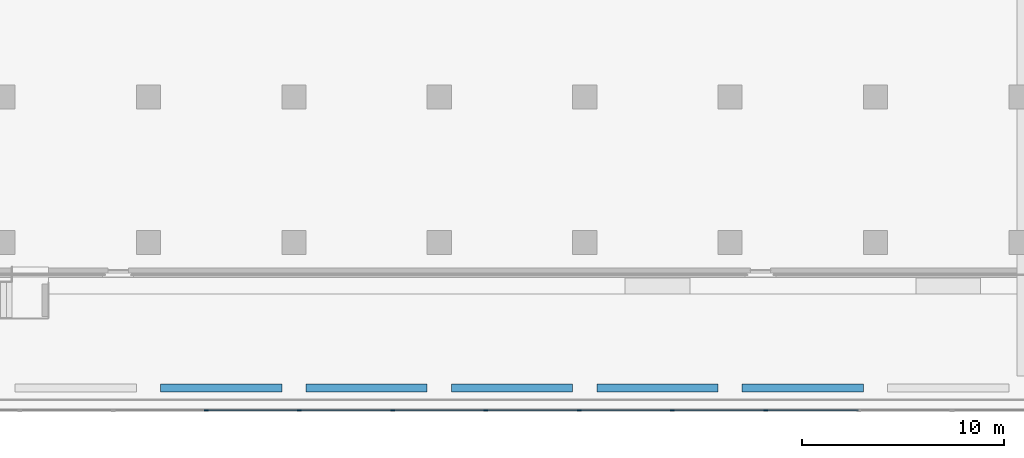
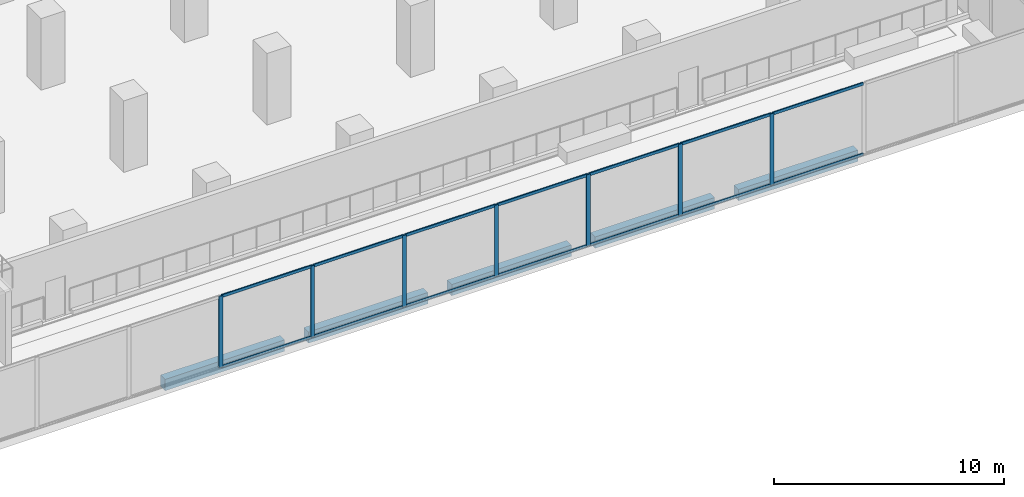
# One storey, part 4 of 27: 21 members, 5 beams, 1 element without a shape of its own.
"""IFC4 building model written with IfcOpenShell, lengths in metres."""

import ifcopenshell
import ifcopenshell.guid

model = None  # the IFC model being written
_history = None  # IfcOwnerHistory: only IFC2X3 demands one
_inside = {}  # id of a spatial element -> (the spatial element, [elements in it])
_under = {}  # id of a project, library or spatial element -> (it, [spatial elements below it])
_declared = {}  # id of a project -> (the project, [libraries it declares])
_typed = {}  # id of a type object -> (the type object, [elements of that type])
_made_of = {}  # id of a material, layer set ... -> (it, [elements and type objects made of it])


def new_model(schema):
    """Start an empty IFC model of exactly this schema.

    Asked for "IFC4X3", IfcOpenShell would pick the latest addendum, in which some entities
    have other attributes; the version numbers below select the first issue.
    IFC2X3 requires an IfcOwnerHistory on every rooted entity: one is made here for all.
    """
    global model, _history
    if schema == "IFC4X3":
        model = ifcopenshell.file(schema_version=(4, 3, 0, 0))
    else:
        model = ifcopenshell.file(schema=schema)
    _inside.clear()
    _under.clear()
    _declared.clear()
    _typed.clear()
    _made_of.clear()
    _history = None
    if model.schema == "IFC2X3":
        org = make("IfcOrganization", Name="unknown")
        user = make(
            "IfcPersonAndOrganization",
            ThePerson=make("IfcPerson", FamilyName="unknown"),
            TheOrganization=org,
        )
        app = make(
            "IfcApplication",
            ApplicationDeveloper=org,
            Version="unknown",
            ApplicationFullName="unknown",
            ApplicationIdentifier="unknown",
        )
        _history = make(
            "IfcOwnerHistory",
            OwningUser=user,
            OwningApplication=app,
            ChangeAction="ADDED",
            CreationDate=0,
        )
    return model


def make(cls, **values):
    """One entity of the class cls with the attributes given. An attribute that is None is left unset."""
    return model.create_entity(
        cls, **{name: value for name, value in values.items() if value is not None}
    )


def rooted(cls, **values):
    """An entity with a GlobalId (a new one), such as an element, a storey or a relation."""
    return make(cls, GlobalId=ifcopenshell.guid.new(), OwnerHistory=_history, **values)


def si_unit(unit_type, name, prefix=None):
    """IfcSIUnit, for example si_unit("LENGTHUNIT", "METRE", prefix="MILLI")."""
    return make("IfcSIUnit", UnitType=unit_type, Prefix=prefix, Name=name)


def assignment(units):
    """IfcUnitAssignment: the units of a project."""
    return None if units is None else make("IfcUnitAssignment", Units=units)


def point(xyz):
    """IfcCartesianPoint."""
    return None if xyz is None else make("IfcCartesianPoint", Coordinates=xyz)


def direction(xyz):
    """IfcDirection."""
    return None if xyz is None else make("IfcDirection", DirectionRatios=xyz)


def frame(location, z_axis=None, x_axis=None):
    """IfcAxis2Placement3D, a coordinate frame: its origin and axes. An axis left out is left unset."""
    return make(
        "IfcAxis2Placement3D",
        Location=point(location),
        Axis=direction(z_axis),
        RefDirection=direction(x_axis),
    )


def frame_2d(location, x_axis=None):
    """IfcAxis2Placement2D, a coordinate frame in the plane: its origin and x axis."""
    return make(
        "IfcAxis2Placement2D", Location=point(location), RefDirection=direction(x_axis)
    )


def origin():
    """The frame at (0, 0, 0) with its axes left unset."""
    return frame((0.0, 0.0, 0.0))


def origin_2d():
    """The frame at (0, 0) in the plane with its x axis left unset."""
    return frame_2d((0.0, 0.0))


def place(relative_to, where):
    """IfcLocalPlacement: puts the frame where relative to a parent placement (None: the world)."""
    return make(
        "IfcLocalPlacement", PlacementRelTo=relative_to, RelativePlacement=where
    )


def context(
    kind, dimensions, precision=None, world=None, true_north=None, identifier=None
):
    """IfcGeometricRepresentationContext, for example the 3D "Model" context."""
    return make(
        "IfcGeometricRepresentationContext",
        ContextIdentifier=identifier,
        ContextType=kind,
        CoordinateSpaceDimension=dimensions,
        Precision=precision,
        WorldCoordinateSystem=world,
        TrueNorth=true_north,
    )


def subcontext(parent, identifier, kind, view, scale=None):
    """IfcGeometricRepresentationSubContext, for example "Body" below "Model"."""
    return make(
        "IfcGeometricRepresentationSubContext",
        ContextIdentifier=identifier,
        ContextType=kind,
        ParentContext=parent,
        TargetScale=scale,
        TargetView=view,
    )


def project(units=None, contexts=None):
    """IfcProject with its units and contexts."""
    return rooted(
        "IfcProject",
        Name="project",
        RepresentationContexts=contexts,
        UnitsInContext=assignment(units),
    )


def spatial(cls, under=None, at=None, **own):
    """A site, building, storey or space (cls), placed at a placement, below another one or the project."""
    s = rooted(cls, ObjectPlacement=at, **own)
    if under is not None:
        _under.setdefault(under.id(), (under, []))[1].append(s)
    return s


def profile(cls, at=None, kind="AREA", **sizes):
    """A parametric profile (cls). Its sizes go by their IFC names, for example OverallWidth=200.0."""
    return make(cls, ProfileType=kind, Position=at, **sizes)


def rectangle(**sizes):
    """IfcRectangleProfileDef."""
    return profile("IfcRectangleProfileDef", **sizes)


def extrude(swept, where, along, depth):
    """IfcExtrudedAreaSolid: the profile swept, set in the frame where, extruded along a direction by depth."""
    return make(
        "IfcExtrudedAreaSolid",
        SweptArea=swept,
        Position=where,
        ExtrudedDirection=direction(along),
        Depth=depth,
    )


def shape(context_of_items, identifier, shape_type, items):
    """IfcShapeRepresentation: the items that make up one representation, for example the "Body"."""
    return make(
        "IfcShapeRepresentation",
        ContextOfItems=context_of_items,
        RepresentationIdentifier=identifier,
        RepresentationType=shape_type,
        Items=items,
    )


def material(Name=None, Category=None):
    """IfcMaterial."""
    return make("IfcMaterial", Name=Name, Category=Category)


def material_profile(
    of_material, cross_section, Name=None, Category=None, Priority=None
):
    """IfcMaterialProfile: a cross section and its material."""
    return make(
        "IfcMaterialProfile",
        Name=Name,
        Material=of_material,
        Profile=cross_section,
        Priority=Priority,
        Category=Category,
    )


def profile_set(profiles, Name=None, composite=None):
    """IfcMaterialProfileSet."""
    return make(
        "IfcMaterialProfileSet",
        Name=Name,
        MaterialProfiles=profiles,
        CompositeProfile=composite,
    )


def made_of(thing, what):
    """Note that an element or type object is made of a material, layer set ...; save() writes the relation."""
    if what is not None:
        _made_of.setdefault(what.id(), (what, []))[1].append(thing)
    return thing


def type_object(cls, material=None, **own):
    """A type object (cls), such as IfcWallType, which elements share."""
    return made_of(rooted(cls, **own), material)


def element(
    cls,
    number,
    at=None,
    inside=None,
    cuts=None,
    type_object=None,
    material=None,
    context=None,
    identifier="Body",
    shape_type=None,
    held_by="IfcProductDefinitionShape",
    body=None,
    shapes=None,
    **own,
):
    """One element of the class cls, such as IfcWall. Its Tag is "e" and its number.

    at: its placement. inside: the storey or other place that contains it. cuts: it is an
    opening in that element (IfcRelVoidsElement). A single representation is given by context,
    identifier, shape_type and body (its items); several are given by shapes. held_by: the class
    of the entity that holds the representations. save() writes the other relations.
    """
    e = rooted(cls, Tag="e%d" % number, ObjectPlacement=at, **own)
    if body is not None:
        shapes = [shape(context, identifier, shape_type, body)]
    if shapes is not None:
        e.Representation = make(held_by, Representations=shapes)
    if inside is not None:
        _inside.setdefault(inside.id(), (inside, []))[1].append(e)
    if cuts is not None:
        rooted(
            "IfcRelVoidsElement", RelatingBuildingElement=cuts, RelatedOpeningElement=e
        )
    if type_object is not None:
        _typed.setdefault(type_object.id(), (type_object, []))[1].append(e)
    return made_of(e, material)


def aggregate(whole, parts):
    """IfcRelAggregates: a whole, such as a stair, and the parts it consists of."""
    return rooted("IfcRelAggregates", RelatingObject=whole, RelatedObjects=parts)


def save(model, path):
    """Write the relations noted so far, then the file.

    IfcRelAggregates (storeys below a building ...), IfcRelContainedInSpatialStructure (elements
    in a storey), IfcRelDefinesByType, IfcRelAssociatesMaterial and IfcRelDeclares: one each for
    every whole, place, type object, material and project.
    """
    for whole, parts in _under.values():
        aggregate(whole, parts)
    for where, things in _inside.values():
        rooted(
            "IfcRelContainedInSpatialStructure",
            RelatedElements=things,
            RelatingStructure=where,
        )
    for kind, things in _typed.values():
        rooted("IfcRelDefinesByType", RelatedObjects=things, RelatingType=kind)
    for what, things in _made_of.values():
        rooted("IfcRelAssociatesMaterial", RelatedObjects=things, RelatingMaterial=what)
    for by, libraries in _declared.values():
        rooted("IfcRelDeclares", RelatingContext=by, RelatedDefinitions=libraries)
    model.write(path)


model = new_model("IFC4")

# Units and contexts
model_context = context("Model", 3, precision=1e-05, world=origin(), true_north=direction((0.0, 1.0)))
body_context = subcontext(model_context, "Body", "Model", "MODEL_VIEW")
ifc_project = project(units=[si_unit("LENGTHUNIT", "METRE"), si_unit("AREAUNIT", "SQUARE_METRE"), si_unit("VOLUMEUNIT", "CUBIC_METRE"), si_unit("PLANEANGLEUNIT", "RADIAN"), si_unit("MASSUNIT", "GRAM", prefix="KILO")], contexts=[model_context])

# Site, building, storey
site_placement = place(None, origin())
site = spatial("IfcSite", under=ifc_project, at=site_placement, CompositionType="ELEMENT")
building_placement = place(site_placement, origin())
building = spatial("IfcBuilding", under=site, at=building_placement, Name="Windrow Commons", CompositionType="ELEMENT")
storey_placement = place(building_placement, frame((0.0, 0.0, 6.0)))
storey = spatial("IfcBuildingStorey", under=building, at=storey_placement, Name="L01", CompositionType="ELEMENT", Elevation=6.0)

# Curtain wall, members
ifc_material_1 = material(Name="Clear laminated glass in Aluminium 6063-T6 anodised frame", Category="aluminium")
curtain_wall_type = type_object("IfcCurtainWallType", Name="Curtain wall CW1 podium study hall", PredefinedType="USERDEFINED", material=ifc_material_1)
curtain_wall_placement = place(storey_placement, origin())
curtain_wall = element("IfcCurtainWall", 1, at=curtain_wall_placement, inside=storey, type_object=curtain_wall_type, Name="Curtain wall CW1 L01 13", ObjectType="STICK", PredefinedType="USERDEFINED")
ifc_material_2 = material(Name="Aluminium 6063-T6", Category="aluminium")
ifc_material_profile_1 = material_profile(ifc_material_2, rectangle(XDim=0.06, YDim=0.2, at=origin_2d()))
ifc_profile_set_1 = profile_set([ifc_material_profile_1], Name="Aluminium 6063-T6")
member_type_1 = type_object("IfcMemberType", Name="CW1 mullion 60x200", PredefinedType="MULLION", material=ifc_profile_set_1)
member_1_placement = place(storey_placement, frame((31.6615, 13.3, 0.0), z_axis=(0.0, 0.0, 1.0), x_axis=(0.0, 1.0, 0.0)))
member_1 = element("IfcMember", 2, at=member_1_placement, type_object=member_type_1, Name="CW1 mullion 5", PredefinedType="MULLION", context=body_context, shape_type="SweptSolid", body=[
    extrude(rectangle(XDim=0.06, YDim=0.2, at=origin_2d()), origin(), (0.0, 0.0, 1.0), 3.8),
])
member_2_placement = place(storey_placement, frame((36.2769, 13.3, 0.0), z_axis=(0.0, 0.0, 1.0), x_axis=(0.0, 1.0, 0.0)))
member_2 = element("IfcMember", 3, at=member_2_placement, type_object=member_type_1, Name="CW1 mullion 6", PredefinedType="MULLION", context=body_context, shape_type="SweptSolid", body=[
    extrude(rectangle(XDim=0.06, YDim=0.2, at=origin_2d()), origin(), (0.0, 0.0, 1.0), 3.8),
])
member_3_placement = place(storey_placement, frame((40.8923, 13.3, 0.0), z_axis=(0.0, 0.0, 1.0), x_axis=(0.0, 1.0, 0.0)))
member_3 = element("IfcMember", 4, at=member_3_placement, type_object=member_type_1, Name="CW1 mullion 7", PredefinedType="MULLION", context=body_context, shape_type="SweptSolid", body=[
    extrude(rectangle(XDim=0.06, YDim=0.2, at=origin_2d()), origin(), (0.0, 0.0, 1.0), 3.8),
])
member_4_placement = place(storey_placement, frame((45.5077, 13.3, 0.0), z_axis=(0.0, 0.0, 1.0), x_axis=(0.0, 1.0, 0.0)))
member_4 = element("IfcMember", 5, at=member_4_placement, type_object=member_type_1, Name="CW1 mullion 8", PredefinedType="MULLION", context=body_context, shape_type="SweptSolid", body=[
    extrude(rectangle(XDim=0.06, YDim=0.2, at=origin_2d()), origin(), (0.0, 0.0, 1.0), 3.8),
])
member_5_placement = place(storey_placement, frame((50.1231, 13.3, 0.0), z_axis=(0.0, 0.0, 1.0), x_axis=(0.0, 1.0, 0.0)))
member_5 = element("IfcMember", 6, at=member_5_placement, type_object=member_type_1, Name="CW1 mullion 9", PredefinedType="MULLION", context=body_context, shape_type="SweptSolid", body=[
    extrude(rectangle(XDim=0.06, YDim=0.2, at=origin_2d()), origin(), (0.0, 0.0, 1.0), 3.8),
])
member_6_placement = place(storey_placement, frame((54.7385, 13.3, 0.0), z_axis=(0.0, 0.0, 1.0), x_axis=(0.0, 1.0, 0.0)))
member_6 = element("IfcMember", 7, at=member_6_placement, type_object=member_type_1, Name="CW1 mullion 10", PredefinedType="MULLION", context=body_context, shape_type="SweptSolid", body=[
    extrude(rectangle(XDim=0.06, YDim=0.2, at=origin_2d()), origin(), (0.0, 0.0, 1.0), 3.8),
])
member_7_placement = place(storey_placement, frame((59.3538, 13.3, 0.0), z_axis=(0.0, 0.0, 1.0), x_axis=(0.0, 1.0, 0.0)))
member_7 = element("IfcMember", 8, at=member_7_placement, type_object=member_type_1, Name="CW1 mullion 11", PredefinedType="MULLION", context=body_context, shape_type="SweptSolid", body=[
    extrude(rectangle(XDim=0.06, YDim=0.2, at=origin_2d()), origin(), (0.0, 0.0, 1.0), 3.8),
])
ifc_material_3 = material(Name="Aluminium 6063-T6", Category="aluminium")
ifc_material_profile_2 = material_profile(ifc_material_3, rectangle(XDim=0.06, YDim=0.15, at=origin_2d()))
ifc_profile_set_2 = profile_set([ifc_material_profile_2], Name="Aluminium 6063-T6")
member_type_2 = type_object("IfcMemberType", Name="CW1 transom 60x150", PredefinedType="USERDEFINED", material=ifc_profile_set_2)
member_8_placement = place(storey_placement, frame((31.6915, 13.3, 0.03), z_axis=(1.0, 0.0, 0.0), x_axis=(0.0, 1.0, 0.0)))
member_8 = element("IfcMember", 9, at=member_8_placement, type_object=member_type_2, Name="CW1 transom 5.1", ObjectType="TRANSOM", PredefinedType="USERDEFINED", context=body_context, shape_type="SweptSolid", body=[
    extrude(rectangle(XDim=0.06, YDim=0.15, at=origin_2d()), origin(), (0.0, 0.0, 1.0), 4.5554),
])
member_9_placement = place(storey_placement, frame((31.6915, 13.3, 3.77), z_axis=(1.0, 0.0, 0.0), x_axis=(0.0, 1.0, 0.0)))
member_9 = element("IfcMember", 10, at=member_9_placement, type_object=member_type_2, Name="CW1 transom 5.2", ObjectType="TRANSOM", PredefinedType="USERDEFINED", context=body_context, shape_type="SweptSolid", body=[
    extrude(rectangle(XDim=0.06, YDim=0.15, at=origin_2d()), origin(), (0.0, 0.0, 1.0), 4.5554),
])
member_10_placement = place(storey_placement, frame((36.3069, 13.3, 0.03), z_axis=(1.0, 0.0, 0.0), x_axis=(0.0, 1.0, 0.0)))
member_10 = element("IfcMember", 11, at=member_10_placement, type_object=member_type_2, Name="CW1 transom 6.1", ObjectType="TRANSOM", PredefinedType="USERDEFINED", context=body_context, shape_type="SweptSolid", body=[
    extrude(rectangle(XDim=0.06, YDim=0.15, at=origin_2d()), origin(), (0.0, 0.0, 1.0), 4.5554),
])
member_11_placement = place(storey_placement, frame((36.3069, 13.3, 3.77), z_axis=(1.0, 0.0, 0.0), x_axis=(0.0, 1.0, 0.0)))
member_11 = element("IfcMember", 12, at=member_11_placement, type_object=member_type_2, Name="CW1 transom 6.2", ObjectType="TRANSOM", PredefinedType="USERDEFINED", context=body_context, shape_type="SweptSolid", body=[
    extrude(rectangle(XDim=0.06, YDim=0.15, at=origin_2d()), origin(), (0.0, 0.0, 1.0), 4.5554),
])
member_12_placement = place(storey_placement, frame((40.9223, 13.3, 0.03), z_axis=(1.0, 0.0, 0.0), x_axis=(0.0, 1.0, 0.0)))
member_12 = element("IfcMember", 13, at=member_12_placement, type_object=member_type_2, Name="CW1 transom 7.1", ObjectType="TRANSOM", PredefinedType="USERDEFINED", context=body_context, shape_type="SweptSolid", body=[
    extrude(rectangle(XDim=0.06, YDim=0.15, at=origin_2d()), origin(), (0.0, 0.0, 1.0), 4.5554),
])
member_13_placement = place(storey_placement, frame((40.9223, 13.3, 3.77), z_axis=(1.0, 0.0, 0.0), x_axis=(0.0, 1.0, 0.0)))
member_13 = element("IfcMember", 14, at=member_13_placement, type_object=member_type_2, Name="CW1 transom 7.2", ObjectType="TRANSOM", PredefinedType="USERDEFINED", context=body_context, shape_type="SweptSolid", body=[
    extrude(rectangle(XDim=0.06, YDim=0.15, at=origin_2d()), origin(), (0.0, 0.0, 1.0), 4.5554),
])
member_14_placement = place(storey_placement, frame((45.5377, 13.3, 0.03), z_axis=(1.0, 0.0, 0.0), x_axis=(0.0, 1.0, 0.0)))
member_14 = element("IfcMember", 15, at=member_14_placement, type_object=member_type_2, Name="CW1 transom 8.1", ObjectType="TRANSOM", PredefinedType="USERDEFINED", context=body_context, shape_type="SweptSolid", body=[
    extrude(rectangle(XDim=0.06, YDim=0.15, at=origin_2d()), origin(), (0.0, 0.0, 1.0), 4.5554),
])
member_15_placement = place(storey_placement, frame((45.5377, 13.3, 3.77), z_axis=(1.0, 0.0, 0.0), x_axis=(0.0, 1.0, 0.0)))
member_15 = element("IfcMember", 16, at=member_15_placement, type_object=member_type_2, Name="CW1 transom 8.2", ObjectType="TRANSOM", PredefinedType="USERDEFINED", context=body_context, shape_type="SweptSolid", body=[
    extrude(rectangle(XDim=0.06, YDim=0.15, at=origin_2d()), origin(), (0.0, 0.0, 1.0), 4.5554),
])
member_16_placement = place(storey_placement, frame((50.1531, 13.3, 0.03), z_axis=(1.0, 0.0, 0.0), x_axis=(0.0, 1.0, 0.0)))
member_16 = element("IfcMember", 17, at=member_16_placement, type_object=member_type_2, Name="CW1 transom 9.1", ObjectType="TRANSOM", PredefinedType="USERDEFINED", context=body_context, shape_type="SweptSolid", body=[
    extrude(rectangle(XDim=0.06, YDim=0.15, at=origin_2d()), origin(), (0.0, 0.0, 1.0), 4.5554),
])
member_17_placement = place(storey_placement, frame((50.1531, 13.3, 3.77), z_axis=(1.0, 0.0, 0.0), x_axis=(0.0, 1.0, 0.0)))
member_17 = element("IfcMember", 18, at=member_17_placement, type_object=member_type_2, Name="CW1 transom 9.2", ObjectType="TRANSOM", PredefinedType="USERDEFINED", context=body_context, shape_type="SweptSolid", body=[
    extrude(rectangle(XDim=0.06, YDim=0.15, at=origin_2d()), origin(), (0.0, 0.0, 1.0), 4.5554),
])
member_18_placement = place(storey_placement, frame((54.7685, 13.3, 0.03), z_axis=(1.0, 0.0, 0.0), x_axis=(0.0, 1.0, 0.0)))
member_18 = element("IfcMember", 19, at=member_18_placement, type_object=member_type_2, Name="CW1 transom 10.1", ObjectType="TRANSOM", PredefinedType="USERDEFINED", context=body_context, shape_type="SweptSolid", body=[
    extrude(rectangle(XDim=0.06, YDim=0.15, at=origin_2d()), origin(), (0.0, 0.0, 1.0), 4.5553),
])
member_19_placement = place(storey_placement, frame((54.7685, 13.3, 3.77), z_axis=(1.0, 0.0, 0.0), x_axis=(0.0, 1.0, 0.0)))
member_19 = element("IfcMember", 20, at=member_19_placement, type_object=member_type_2, Name="CW1 transom 10.2", ObjectType="TRANSOM", PredefinedType="USERDEFINED", context=body_context, shape_type="SweptSolid", body=[
    extrude(rectangle(XDim=0.06, YDim=0.15, at=origin_2d()), origin(), (0.0, 0.0, 1.0), 4.5553),
])
member_20_placement = place(storey_placement, frame((59.3838, 13.3, 0.03), z_axis=(1.0, 0.0, 0.0), x_axis=(0.0, 1.0, 0.0)))
member_20 = element("IfcMember", 21, at=member_20_placement, type_object=member_type_2, Name="CW1 transom 11.1", ObjectType="TRANSOM", PredefinedType="USERDEFINED", context=body_context, shape_type="SweptSolid", body=[
    extrude(rectangle(XDim=0.06, YDim=0.15, at=origin_2d()), origin(), (0.0, 0.0, 1.0), 4.5554),
])
member_21_placement = place(storey_placement, frame((59.3838, 13.3, 3.77), z_axis=(1.0, 0.0, 0.0), x_axis=(0.0, 1.0, 0.0)))
member_21 = element("IfcMember", 22, at=member_21_placement, type_object=member_type_2, Name="CW1 transom 11.2", ObjectType="TRANSOM", PredefinedType="USERDEFINED", context=body_context, shape_type="SweptSolid", body=[
    extrude(rectangle(XDim=0.06, YDim=0.15, at=origin_2d()), origin(), (0.0, 0.0, 1.0), 4.5554),
])
aggregate(curtain_wall, [member_1, member_2, member_3, member_4, member_5, member_6, member_7, member_8, member_9, member_10, member_11, member_12, member_13, member_14, member_15, member_16, member_17, member_18, member_19, member_20, member_21])

# Beams
ifc_material_4 = material(Name="Concrete C60/75", Category="concrete")
ifc_material_profile_3 = material_profile(ifc_material_4, rectangle(XDim=0.4, YDim=0.6, at=origin_2d()))
ifc_profile_set_3 = profile_set([ifc_material_profile_3], Name="Concrete C60/75")
beam_type = type_object("IfcBeamType", Name="RC EDGE BEAM 400x600 C60/75", PredefinedType="SPANDREL", material=ifc_profile_set_3)
for number, where, z_axis, x_axis, name in (
    (23, (64.2, 14.4, -0.7), (-1.0, 0.0, 0.0), (0.0, -1.0, 0.0), "Edge beam L01 036"),
    (24, (57.0, 14.4, -0.7), (-1.0, 0.0, 0.0), (0.0, -1.0, 0.0), "Edge beam L01 037"),
    (25, (49.8, 14.4, -0.7), (-1.0, 0.0, 0.0), (0.0, -1.0, 0.0), "Edge beam L01 038"),
    (26, (42.6, 14.4, -0.7), (-1.0, 0.0, 0.0), (0.0, -1.0, 0.0), "Edge beam L01 039"),
    (27, (35.4, 14.4, -0.7), (-1.0, 0.0, 0.0), (0.0, -1.0, 0.0), "Edge beam L01 040"),
):
    element("IfcBeam", number, at=place(storey_placement, frame(where, z_axis=z_axis, x_axis=x_axis)), inside=storey, type_object=beam_type, Name=name, PredefinedType="SPANDREL", context=body_context, shape_type="SweptSolid", body=[
        extrude(rectangle(XDim=0.4, YDim=0.6, at=origin_2d()), origin(), (0.0, 0.0, 1.0), 6.0),
    ])

save(model, "model.ifc")
